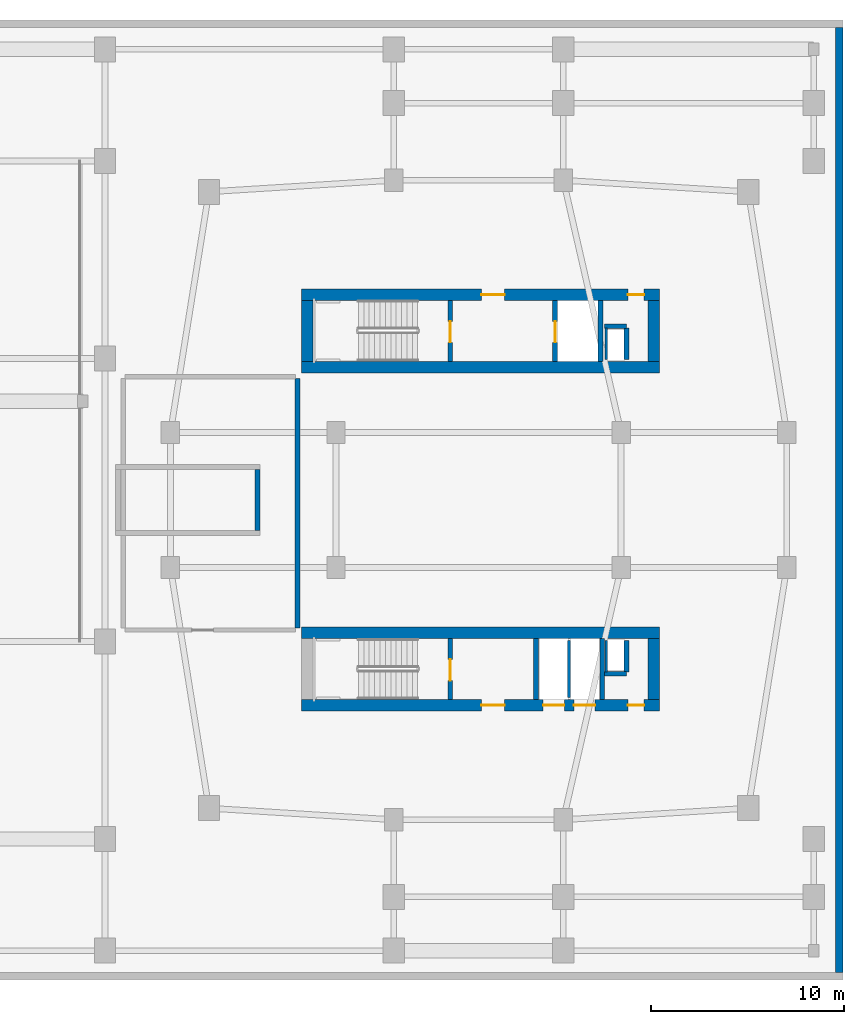
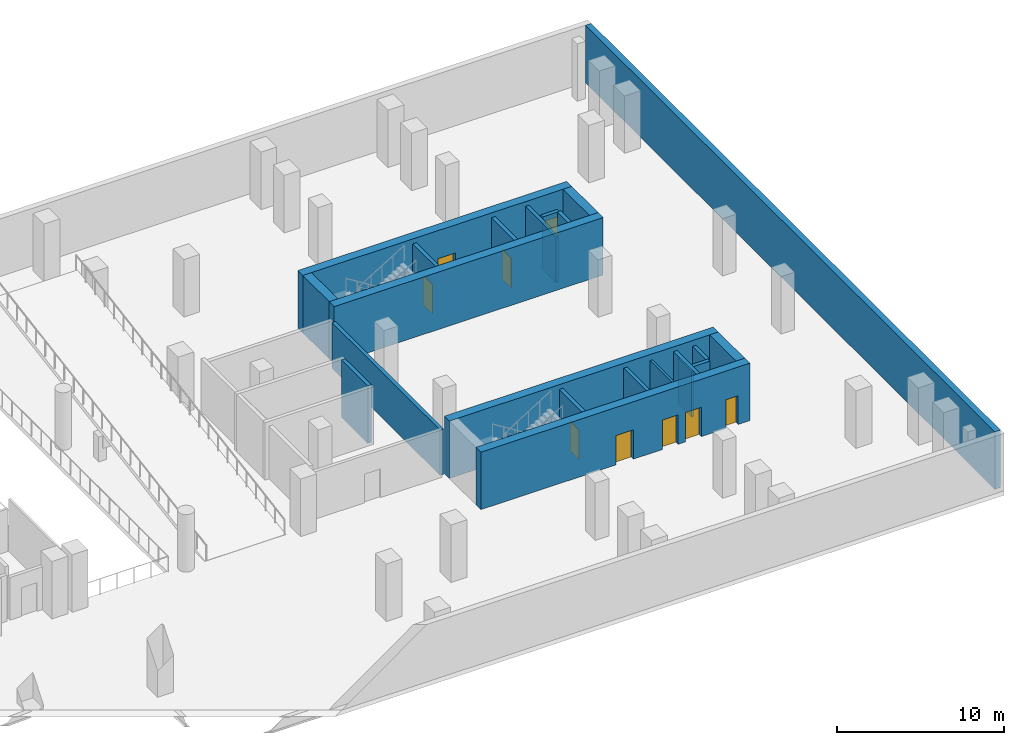
# One storey, part 8 of 13: 23 walls, 9 doors, 9 openings.
"""IFC4 building model written with IfcOpenShell, lengths in metres."""

from ifc_helpers import new_model, si_unit, derived_unit, direction, frame, frame_2d, origin, place, context, subcontext, project, spatial, rectangle, extrude, material, layer, layer_set, type_object, element, fill, save


model = new_model("IFC4")

# Units and contexts
model_context = context("Model", 3, precision=1e-05, world=origin(), true_north=direction((0.0, 1.0)))
body_context = subcontext(model_context, "Body", "Model", "MODEL_VIEW")
ifc_project = project(units=[si_unit("LENGTHUNIT", "METRE"), si_unit("AREAUNIT", "SQUARE_METRE"), si_unit("VOLUMEUNIT", "CUBIC_METRE"), si_unit("PLANEANGLEUNIT", "RADIAN"), si_unit("MASSUNIT", "GRAM", prefix="KILO"), derived_unit("THERMALTRANSMITTANCEUNIT", [(si_unit("POWERUNIT", "WATT"), 1), (si_unit("LENGTHUNIT", "METRE"), -2), (si_unit("THERMODYNAMICTEMPERATUREUNIT", "KELVIN"), -1)])], contexts=[model_context])

# Site, building, storey
site_placement = place(None, origin())
site = spatial("IfcSite", under=ifc_project, at=site_placement, CompositionType="ELEMENT")
building_placement = place(site_placement, origin())
building = spatial("IfcBuilding", under=site, at=building_placement, Name="Kivonza Crest Hotel", CompositionType="ELEMENT")
storey_placement = place(building_placement, frame((0.0, 0.0, -4.199951171875)))
storey = spatial("IfcBuildingStorey", under=building, at=storey_placement, Name="B1", CompositionType="ELEMENT", Elevation=-4.199951171875)

# Wall
ifc_material_1 = material(Name="Concrete C60/75", Category="concrete")
ifc_layer_1 = layer(ifc_material_1, 0.60009765625)
ifc_layer_set_1 = layer_set([ifc_layer_1], Name="Concrete C60/75")
wall_type_1 = type_object("IfcWallType", Name="WL-CORE-600", PredefinedType="SHEAR", material=ifc_layer_set_1)
wall_1_placement = place(storey_placement, frame((67.800048828125, 31.89990234375, 0.0), z_axis=(0.0, 0.0, 1.0), x_axis=(1.0, 0.0, 0.0)))
element("IfcWall", 1, at=wall_1_placement, inside=storey, type_object=wall_type_1, Name="Core wall T2-N South B1", PredefinedType="SHEAR", context=body_context, shape_type="SweptSolid", body=[
    extrude(rectangle(XDim=18.599853515625, YDim=0.60009765625, at=frame_2d((9.2998046875, 0.0))), origin(), (0.0, 0.0, 1.0), 4.199951171875),
])

# Wall, openings, doors
wall_2_placement = place(storey_placement, frame((67.800048828125, 35.659912109375, 0.0), z_axis=(0.0, 0.0, 1.0), x_axis=(1.0, 0.0, 0.0)))
wall_2 = element("IfcWall", 2, at=wall_2_placement, inside=storey, type_object=wall_type_1, Name="Core wall T2-N North B1", PredefinedType="SHEAR", context=body_context, shape_type="SweptSolid", body=[
    extrude(rectangle(XDim=18.599853515625, YDim=0.60009765625, at=frame_2d((9.2998046875, 0.0))), origin(), (0.0, 0.0, 1.0), 4.199951171875),
])
opening_1_placement = place(wall_2_placement, frame((9.35009765625, 0.0, 0.0)))
opening_1 = element("IfcOpeningElement", 3, at=opening_1_placement, cuts=wall_2, Name="Opening DF-60", PredefinedType="OPENING", context=body_context, shape_type="SweptSolid", body=[
    extrude(rectangle(XDim=1.199951171875, YDim=2.14990234375, at=frame_2d((0.60009765625, 1.074951171875))), frame((0.0, 0.31005859375, 0.0), z_axis=(0.0, -1.0, 0.0), x_axis=(1.0, 0.0, 0.0)), (0.0, 0.0, 1.0), 0.6201171875),
])
opening_2_placement = place(wall_2_placement, frame((16.949951171875, 0.0, 0.0)))
opening_2 = element("IfcOpeningElement", 4, at=opening_2_placement, cuts=wall_2, Name="Opening DF-60R", PredefinedType="OPENING", context=body_context, shape_type="SweptSolid", body=[
    extrude(rectangle(XDim=0.85009765625, YDim=2.10009765625, at=frame_2d((0.425048828125, 1.050048828125))), frame((0.0, 0.31005859375, 0.0), z_axis=(0.0, -1.0, 0.0), x_axis=(1.0, 0.0, 0.0)), (0.0, 0.0, 1.0), 0.6201171875),
])
ifc_material_2 = material(Name="Hardwood timber oak", Category="wood")
door_type_1 = type_object("IfcDoorType", Name="DR-FD60-1200", OperationType="NOTDEFINED", PredefinedType="DOOR", material=ifc_material_2)
door_1_placement = place(opening_1_placement, origin())
door_1 = element("IfcDoor", 5, at=door_1_placement, inside=storey, type_object=door_type_1, Name="B1 T2-N firefighting lobby fire door", OperationType="SINGLE_SWING_RIGHT", OverallHeight=2.14990234375, OverallWidth=1.199951171875, PredefinedType="DOOR", context=body_context, shape_type="SweptSolid", body=[
    extrude(rectangle(XDim=1.199951171875, YDim=2.14990234375, at=frame_2d((0.60009765625, 1.074951171875))), frame((0.0, 0.02490234375, 0.0), z_axis=(0.0, -1.0, 0.0), x_axis=(1.0, 0.0, 0.0)), (0.0, 0.0, 1.0), 0.050048828125),
])
fill(opening_1, door_1)
door_type_2 = type_object("IfcDoorType", Name="DR-FD60-850", OperationType="NOTDEFINED", PredefinedType="DOOR", material=ifc_material_2)
door_2_placement = place(opening_2_placement, origin())
door_2 = element("IfcDoor", 6, at=door_2_placement, inside=storey, type_object=door_type_2, Name="B1 T2-N core room door", OperationType="SINGLE_SWING_RIGHT", OverallHeight=2.10009765625, OverallWidth=0.85009765625, PredefinedType="DOOR", context=body_context, shape_type="SweptSolid", body=[
    extrude(rectangle(XDim=0.85009765625, YDim=2.10009765625, at=frame_2d((0.425048828125, 1.050048828125))), frame((0.0, 0.02490234375, 0.0), z_axis=(0.0, -1.0, 0.0), x_axis=(1.0, 0.0, 0.0)), (0.0, 0.0, 1.0), 0.050048828125),
])
fill(opening_2, door_2)

# Walls
for number, where, z_axis, x_axis, name in (
    (7, (68.10009765625, 32.199951171875, 0.0), (0.0, 0.0, 1.0), (0.0, 1.0, 0.0), "Core wall T2-N West B1"),
    (8, (86.10009765625, 32.199951171875, 0.0), (0.0, 0.0, 1.0), (0.0, 1.0, 0.0), "Core wall T2-N East B1"),
):
    element("IfcWall", number, at=place(storey_placement, frame(where, z_axis=z_axis, x_axis=x_axis)), inside=storey, type_object=wall_type_1, Name=name, PredefinedType="SHEAR", context=body_context, shape_type="SweptSolid", body=[
        extrude(rectangle(XDim=3.16015625, YDim=0.60009765625, at=frame_2d((1.580078125, 0.0))), origin(), (0.0, 0.0, 1.0), 4.199951171875),
    ])

# Wall, openings, doors
wall_3_placement = place(storey_placement, frame((67.800048828125, 14.340087890625, 0.0), z_axis=(0.0, 0.0, 1.0), x_axis=(1.0, 0.0, 0.0)))
wall_3 = element("IfcWall", 9, at=wall_3_placement, inside=storey, type_object=wall_type_1, Name="Core wall T2-S South B1", PredefinedType="SHEAR", context=body_context, shape_type="SweptSolid", body=[
    extrude(rectangle(XDim=18.599853515625, YDim=0.60009765625, at=frame_2d((9.2998046875, 0.0))), origin(), (0.0, 0.0, 1.0), 4.199951171875),
])
opening_3_placement = place(wall_3_placement, frame((9.35009765625, 0.0, 0.0)))
opening_3 = element("IfcOpeningElement", 10, at=opening_3_placement, cuts=wall_3, Name="Opening DF-60", PredefinedType="OPENING", context=body_context, shape_type="SweptSolid", body=[
    extrude(rectangle(XDim=1.199951171875, YDim=2.14990234375, at=frame_2d((0.60009765625, 1.074951171875))), frame((0.0, 0.31005859375, 0.0), z_axis=(0.0, -1.0, 0.0), x_axis=(1.0, 0.0, 0.0)), (0.0, 0.0, 1.0), 0.6201171875),
])
opening_4_placement = place(wall_3_placement, frame((16.949951171875, 0.0, 0.0)))
opening_4 = element("IfcOpeningElement", 11, at=opening_4_placement, cuts=wall_3, Name="Opening DF-60R", PredefinedType="OPENING", context=body_context, shape_type="SweptSolid", body=[
    extrude(rectangle(XDim=0.85009765625, YDim=2.10009765625, at=frame_2d((0.425048828125, 1.050048828125))), frame((0.0, 0.31005859375, 0.0), z_axis=(0.0, -1.0, 0.0), x_axis=(1.0, 0.0, 0.0)), (0.0, 0.0, 1.0), 0.6201171875),
])
opening_5_placement = place(wall_3_placement, frame((12.550048828125, 0.0, 0.0)))
opening_5 = element("IfcOpeningElement", 12, at=opening_5_placement, cuts=wall_3, Name="Opening LD-120", PredefinedType="OPENING", context=body_context, shape_type="SweptSolid", body=[
    extrude(rectangle(XDim=1.10009765625, YDim=2.14990234375, at=frame_2d((0.550048828125, 1.074951171875))), frame((0.0, 0.31005859375, 0.0), z_axis=(0.0, -1.0, 0.0), x_axis=(1.0, 0.0, 0.0)), (0.0, 0.0, 1.0), 0.6201171875),
])
opening_6_placement = place(wall_3_placement, frame((14.14990234375, 0.0, 0.0)))
opening_6 = element("IfcOpeningElement", 13, at=opening_6_placement, cuts=wall_3, Name="Opening LD-120", PredefinedType="OPENING", context=body_context, shape_type="SweptSolid", body=[
    extrude(rectangle(XDim=1.10009765625, YDim=2.14990234375, at=frame_2d((0.550048828125, 1.074951171875))), frame((0.0, 0.31005859375, 0.0), z_axis=(0.0, -1.0, 0.0), x_axis=(1.0, 0.0, 0.0)), (0.0, 0.0, 1.0), 0.6201171875),
])
door_3_placement = place(opening_3_placement, frame((1.199951171875, 0.0, 0.0), z_axis=(0.0, 0.0, 1.0), x_axis=(-1.0, 0.0, 0.0)))
door_3 = element("IfcDoor", 14, at=door_3_placement, inside=storey, type_object=door_type_1, Name="B1 T2-S firefighting lobby fire door", OperationType="SINGLE_SWING_LEFT", OverallHeight=2.14990234375, OverallWidth=1.199951171875, PredefinedType="DOOR", context=body_context, shape_type="SweptSolid", body=[
    extrude(rectangle(XDim=1.199951171875, YDim=2.14990234375, at=frame_2d((0.60009765625, 1.074951171875))), frame((0.0, 0.02490234375, 0.0), z_axis=(0.0, -1.0, 0.0), x_axis=(1.0, 0.0, 0.0)), (0.0, 0.0, 1.0), 0.050048828125),
])
fill(opening_3, door_3)
door_4_placement = place(opening_4_placement, frame((0.85009765625, 0.0, 0.0), z_axis=(0.0, 0.0, 1.0), x_axis=(-1.0, 0.0, 0.0)))
door_4 = element("IfcDoor", 15, at=door_4_placement, inside=storey, type_object=door_type_2, Name="B1 T2-S core room door", OperationType="SINGLE_SWING_RIGHT", OverallHeight=2.10009765625, OverallWidth=0.85009765625, PredefinedType="DOOR", context=body_context, shape_type="SweptSolid", body=[
    extrude(rectangle(XDim=0.85009765625, YDim=2.10009765625, at=frame_2d((0.425048828125, 1.050048828125))), frame((0.0, 0.02490234375, 0.0), z_axis=(0.0, -1.0, 0.0), x_axis=(1.0, 0.0, 0.0)), (0.0, 0.0, 1.0), 0.050048828125),
])
fill(opening_4, door_4)
ifc_material_3 = material(Name="Stainless steel", Category="steel")
door_type_3 = type_object("IfcDoorType", Name="DR-LD120-1100", OperationType="NOTDEFINED", PredefinedType="DOOR", material=ifc_material_3)
door_5_placement = place(opening_5_placement, frame((1.10009765625, 0.0, 0.0), z_axis=(0.0, 0.0, 1.0), x_axis=(-1.0, 0.0, 0.0)))
door_5 = element("IfcDoor", 16, at=door_5_placement, inside=storey, type_object=door_type_3, Name="B1 PL-T2-1 passenger lift sliding landing door", OperationType="DOUBLE_DOOR_SLIDING", OverallHeight=2.14990234375, OverallWidth=1.10009765625, PredefinedType="DOOR", context=body_context, shape_type="SweptSolid", body=[
    extrude(rectangle(XDim=1.10009765625, YDim=2.14990234375, at=frame_2d((0.550048828125, 1.074951171875))), frame((0.0, 0.02490234375, 0.0), z_axis=(0.0, -1.0, 0.0), x_axis=(1.0, 0.0, 0.0)), (0.0, 0.0, 1.0), 0.050048828125),
])
fill(opening_5, door_5)
door_6_placement = place(opening_6_placement, frame((1.10009765625, 0.0, 0.0), z_axis=(0.0, 0.0, 1.0), x_axis=(-1.0, 0.0, 0.0)))
door_6 = element("IfcDoor", 17, at=door_6_placement, inside=storey, type_object=door_type_3, Name="B1 PL-T2-2 passenger lift sliding landing door", OperationType="DOUBLE_DOOR_SLIDING", OverallHeight=2.14990234375, OverallWidth=1.10009765625, PredefinedType="DOOR", context=body_context, shape_type="SweptSolid", body=[
    extrude(rectangle(XDim=1.10009765625, YDim=2.14990234375, at=frame_2d((0.550048828125, 1.074951171875))), frame((0.0, 0.02490234375, 0.0), z_axis=(0.0, -1.0, 0.0), x_axis=(1.0, 0.0, 0.0)), (0.0, 0.0, 1.0), 0.050048828125),
])
fill(opening_6, door_6)

# Walls
wall_4_placement = place(storey_placement, frame((67.800048828125, 18.10009765625, 0.0), z_axis=(0.0, 0.0, 1.0), x_axis=(1.0, 0.0, 0.0)))
element("IfcWall", 18, at=wall_4_placement, inside=storey, type_object=wall_type_1, Name="Core wall T2-S North B1", PredefinedType="SHEAR", context=body_context, shape_type="SweptSolid", body=[
    extrude(rectangle(XDim=18.599853515625, YDim=0.60009765625, at=frame_2d((9.2998046875, 0.0))), origin(), (0.0, 0.0, 1.0), 4.199951171875),
])
wall_5_placement = place(storey_placement, frame((86.10009765625, 14.639892578125, 0.0), z_axis=(0.0, 0.0, 1.0), x_axis=(0.0, 1.0, 0.0)))
element("IfcWall", 19, at=wall_5_placement, inside=storey, type_object=wall_type_1, Name="Core wall T2-S East B1", PredefinedType="SHEAR", context=body_context, shape_type="SweptSolid", body=[
    extrude(rectangle(XDim=3.16015625, YDim=0.60009765625, at=frame_2d((1.580078125, 0.0))), origin(), (0.0, 0.0, 1.0), 4.199951171875),
])
ifc_material_4 = material(Name="Concrete blockwork fire-compartment wall", Category="masonry")
ifc_layer_2 = layer(ifc_material_4, 0.25)
ifc_layer_set_2 = layer_set([ifc_layer_2], Name="Concrete blockwork fire-compartment wall")
wall_type_2 = type_object("IfcWallType", Name="WL-FIRE-250", PredefinedType="SOLIDWALL", material=ifc_layer_set_2)
wall_6_placement = place(storey_placement, frame((84.679931640625, 32.300048828125, 0.0), z_axis=(0.0, 0.0, 1.0), x_axis=(0.0, 1.0, 0.0)))
element("IfcWall", 20, at=wall_6_placement, inside=storey, type_object=wall_type_2, Name="B1 interior partition WA-B1-T2-N-MEPR-E", PredefinedType="SOLIDWALL", context=body_context, shape_type="SweptSolid", body=[
    extrude(rectangle(XDim=1.619873046875, YDim=0.25, at=frame_2d((0.81005859375, 0.0))), origin(), (0.0, 0.0, 1.0), 3.849853515625),
])
wall_7_placement = place(storey_placement, frame((83.550048828125, 34.02001953125, 0.0), z_axis=(0.0, 0.0, 1.0), x_axis=(1.0, 0.0, 0.0)))
element("IfcWall", 21, at=wall_7_placement, inside=storey, type_object=wall_type_2, Name="B1 interior partition WA-B1-T2-N-MEPR-H", PredefinedType="SOLIDWALL", context=body_context, shape_type="SweptSolid", body=[
    extrude(rectangle(XDim=1.1298828125, YDim=0.25, at=frame_2d((0.56494140625, 0.0))), origin(), (0.0, 0.0, 1.0), 3.849853515625),
])
wall_8_placement = place(storey_placement, frame((84.679931640625, 16.080078125, 0.0), z_axis=(0.0, 0.0, 1.0), x_axis=(0.0, 1.0, 0.0)))
element("IfcWall", 22, at=wall_8_placement, inside=storey, type_object=wall_type_2, Name="B1 interior partition WA-B1-T2-S-MEPR-E", PredefinedType="SOLIDWALL", context=body_context, shape_type="SweptSolid", body=[
    extrude(rectangle(XDim=1.619873046875, YDim=0.25, at=frame_2d((0.81005859375, 0.0))), origin(), (0.0, 0.0, 1.0), 3.849853515625),
])
wall_9_placement = place(storey_placement, frame((83.550048828125, 15.97998046875, 0.0), z_axis=(0.0, 0.0, 1.0), x_axis=(1.0, 0.0, 0.0)))
element("IfcWall", 23, at=wall_9_placement, inside=storey, type_object=wall_type_2, Name="B1 interior partition WA-B1-T2-S-MEPR-H", PredefinedType="SOLIDWALL", context=body_context, shape_type="SweptSolid", body=[
    extrude(rectangle(XDim=1.1298828125, YDim=0.25, at=frame_2d((0.56494140625, 0.0))), origin(), (0.0, 0.0, 1.0), 3.849853515625),
])
wall_10_placement = place(storey_placement, frame((67.60009765625, 18.35009765625, 0.0), z_axis=(0.0, 0.0, 1.0), x_axis=(0.0, 1.0, 0.0)))
element("IfcWall", 24, at=wall_10_placement, inside=storey, type_object=wall_type_2, Name="B1 interior partition WP-B1-T2EL-BE", PredefinedType="SOLIDWALL", context=body_context, shape_type="SweptSolid", body=[
    extrude(rectangle(XDim=12.949951171875, YDim=0.25, at=frame_2d((6.47509765625, 0.0))), origin(), (0.0, 0.0, 1.0), 3.324951171875),
])
ifc_material_5 = material(Name="Twin-stud acoustic gypsum board partition", Category="gypsum")
ifc_layer_3 = layer(ifc_material_5, 0.14990234375)
ifc_layer_set_3 = layer_set([ifc_layer_3], Name="Twin-stud acoustic gypsum board partition")
wall_type_3 = type_object("IfcWallType", Name="WL-PART-150", PredefinedType="PARTITIONING", material=ifc_layer_set_3)
for number, where, z_axis, x_axis, name in (
    (25, (83.6298828125, 32.300048828125, 0.0), (0.0, 0.0, 1.0), (0.0, 1.0, 0.0), "B1 interior partition WA-B1-T2-N-MEPR-W"),
    (26, (83.6298828125, 16.080078125, 0.0), (0.0, 0.0, 1.0), (0.0, 1.0, 0.0), "B1 interior partition WA-B1-T2-S-MEPR-W"),
):
    element("IfcWall", number, at=place(storey_placement, frame(where, z_axis=z_axis, x_axis=x_axis)), inside=storey, type_object=wall_type_3, Name=name, PredefinedType="PARTITIONING", context=body_context, shape_type="SweptSolid", body=[
        extrude(rectangle(XDim=1.619873046875, YDim=0.14990234375, at=frame_2d((0.81005859375, 0.0))), origin(), (0.0, 0.0, 1.0), 3.324951171875),
    ])
wall_11_placement = place(storey_placement, frame((81.699951171875, 14.739990234375, 0.0), z_axis=(0.0, 0.0, 1.0), x_axis=(0.0, 1.0, 0.0)))
element("IfcWall", 27, at=wall_11_placement, inside=storey, type_object=wall_type_3, Name="B1 interior partition WP-B1-T2-S-BSH-1", PredefinedType="PARTITIONING", context=body_context, shape_type="SweptSolid", body=[
    extrude(rectangle(XDim=2.9599609375, YDim=0.14990234375, at=frame_2d((1.47998046875, 0.0))), origin(), (0.0, 0.0, 1.0), 3.849853515625),
])
ifc_material_6 = material(Name="Concrete C40/50", Category="concrete")
ifc_layer_4 = layer(ifc_material_6, 0.39990234375)
ifc_layer_set_4 = layer_set([ifc_layer_4], Name="Concrete C40/50")
wall_type_4 = type_object("IfcWallType", Name="WL-RET-400", PredefinedType="USERDEFINED", material=ifc_layer_set_4)
wall_12_placement = place(storey_placement, frame((95.719970703125, 0.47998046875, 0.0), z_axis=(0.0, 0.0, 1.0), x_axis=(0.0, 1.0, 0.0)))
element("IfcWall", 28, at=wall_12_placement, inside=storey, type_object=wall_type_4, Name="B1 East basement retaining wall", ObjectType="RETAININGWALL", PredefinedType="USERDEFINED", context=body_context, shape_type="SweptSolid", body=[
    extrude(rectangle(XDim=49.0400390625, YDim=0.39990234375, at=frame_2d((24.52001953125, 0.0))), origin(), (0.0, 0.0, 1.0), 4.199951171875),
])

# Wall, opening, door
ifc_material_7 = material(Name="Concrete C50/60", Category="concrete")
ifc_layer_5 = layer(ifc_material_7, 0.25)
ifc_layer_set_5 = layer_set([ifc_layer_5], Name="Concrete C50/60")
wall_type_5 = type_object("IfcWallType", Name="WL-SHAFT-250", PredefinedType="STANDARD", material=ifc_layer_set_5)
wall_13_placement = place(storey_placement, frame((75.52490234375, 32.199951171875, 0.0), z_axis=(0.0, 0.0, 1.0), x_axis=(0.0, 1.0, 0.0)))
wall_13 = element("IfcWall", 29, at=wall_13_placement, inside=storey, type_object=wall_type_5, Name="Core shaft wall T2-N STAIR B1", PredefinedType="STANDARD", context=body_context, shape_type="SweptSolid", body=[
    extrude(rectangle(XDim=3.16015625, YDim=0.25, at=frame_2d((1.580078125, 0.0))), origin(), (0.0, 0.0, 1.0), 3.849853515625),
])
opening_7_placement = place(wall_13_placement, frame((0.97998046875, 0.0, 0.0)))
opening_7 = element("IfcOpeningElement", 30, at=opening_7_placement, cuts=wall_13, Name="Opening DF-120", PredefinedType="OPENING", context=body_context, shape_type="SweptSolid", body=[
    extrude(rectangle(XDim=1.10009765625, YDim=2.14990234375, at=frame_2d((0.550048828125, 1.074951171875))), frame((0.0, 0.135009765625, 0.0), z_axis=(0.0, -1.0, 0.0), x_axis=(1.0, 0.0, 0.0)), (0.0, 0.0, 1.0), 0.27001953125),
])
ifc_material_8 = material(Name="Galvanised steel", Category="steel")
door_type_4 = type_object("IfcDoorType", Name="DR-FD120-1100", OperationType="NOTDEFINED", PredefinedType="DOOR", material=ifc_material_8)
door_7_placement = place(opening_7_placement, frame((1.10009765625, 0.0, 0.0), z_axis=(0.0, 0.0, 1.0), x_axis=(-1.0, 0.0, 0.0)))
door_7 = element("IfcDoor", 31, at=door_7_placement, inside=storey, type_object=door_type_4, Name="B1 T2-N stair fire door", OperationType="SINGLE_SWING_LEFT", OverallHeight=2.14990234375, OverallWidth=1.10009765625, PredefinedType="DOOR", context=body_context, shape_type="SweptSolid", body=[
    extrude(rectangle(XDim=1.10009765625, YDim=2.14990234375, at=frame_2d((0.550048828125, 1.074951171875))), frame((0.0, 0.02490234375, 0.0), z_axis=(0.0, -1.0, 0.0), x_axis=(1.0, 0.0, 0.0)), (0.0, 0.0, 1.0), 0.050048828125),
])
fill(opening_7, door_7)

wall_14_placement = place(storey_placement, frame((80.97509765625, 32.199951171875, 0.0), z_axis=(0.0, 0.0, 1.0), x_axis=(0.0, 1.0, 0.0)))
wall_14 = element("IfcWall", 32, at=wall_14_placement, inside=storey, type_object=wall_type_5, Name="Core shaft wall T2-N FFL-W B1", PredefinedType="STANDARD", context=body_context, shape_type="SweptSolid", body=[
    extrude(rectangle(XDim=3.16015625, YDim=0.25, at=frame_2d((1.580078125, 0.0))), origin(), (0.0, 0.0, 1.0), 3.849853515625),
])
opening_8_placement = place(wall_14_placement, frame((0.97998046875, 0.0, 0.0)))
opening_8 = element("IfcOpeningElement", 33, at=opening_8_placement, cuts=wall_14, Name="Opening LD-120", PredefinedType="OPENING", context=body_context, shape_type="SweptSolid", body=[
    extrude(rectangle(XDim=1.10009765625, YDim=2.14990234375, at=frame_2d((0.550048828125, 1.074951171875))), frame((0.0, 0.135009765625, 0.0), z_axis=(0.0, -1.0, 0.0), x_axis=(1.0, 0.0, 0.0)), (0.0, 0.0, 1.0), 0.27001953125),
])
door_8_placement = place(opening_8_placement, origin())
door_8 = element("IfcDoor", 34, at=door_8_placement, inside=storey, type_object=door_type_3, Name="B1 FFL-T2 firefighting lift sliding landing door", OperationType="DOUBLE_DOOR_SLIDING", OverallHeight=2.14990234375, OverallWidth=1.10009765625, PredefinedType="DOOR", context=body_context, shape_type="SweptSolid", body=[
    extrude(rectangle(XDim=1.10009765625, YDim=2.14990234375, at=frame_2d((0.550048828125, 1.074951171875))), frame((0.0, 0.02490234375, 0.0), z_axis=(0.0, -1.0, 0.0), x_axis=(1.0, 0.0, 0.0)), (0.0, 0.0, 1.0), 0.050048828125),
])
fill(opening_8, door_8)

# Wall
wall_15_placement = place(storey_placement, frame((83.324951171875, 32.199951171875, 0.0), z_axis=(0.0, 0.0, 1.0), x_axis=(0.0, 1.0, 0.0)))
element("IfcWall", 35, at=wall_15_placement, inside=storey, type_object=wall_type_5, Name="Core shaft wall T2-N FFL-E B1", PredefinedType="STANDARD", context=body_context, shape_type="SweptSolid", body=[
    extrude(rectangle(XDim=3.16015625, YDim=0.25, at=frame_2d((1.580078125, 0.0))), origin(), (0.0, 0.0, 1.0), 3.849853515625),
])

# Wall, opening, door
wall_16_placement = place(storey_placement, frame((75.52490234375, 14.639892578125, 0.0), z_axis=(0.0, 0.0, 1.0), x_axis=(0.0, 1.0, 0.0)))
wall_16 = element("IfcWall", 36, at=wall_16_placement, inside=storey, type_object=wall_type_5, Name="Core shaft wall T2-S STAIR B1", PredefinedType="STANDARD", context=body_context, shape_type="SweptSolid", body=[
    extrude(rectangle(XDim=3.16015625, YDim=0.25, at=frame_2d((1.580078125, 0.0))), origin(), (0.0, 0.0, 1.0), 3.849853515625),
])
opening_9_placement = place(wall_16_placement, frame((0.97998046875, 0.0, 0.0)))
opening_9 = element("IfcOpeningElement", 37, at=opening_9_placement, cuts=wall_16, Name="Opening DF-120", PredefinedType="OPENING", context=body_context, shape_type="SweptSolid", body=[
    extrude(rectangle(XDim=1.10009765625, YDim=2.14990234375, at=frame_2d((0.550048828125, 1.074951171875))), frame((0.0, 0.135009765625, 0.0), z_axis=(0.0, -1.0, 0.0), x_axis=(1.0, 0.0, 0.0)), (0.0, 0.0, 1.0), 0.27001953125),
])
door_9_placement = place(opening_9_placement, frame((1.10009765625, 0.0, 0.0), z_axis=(0.0, 0.0, 1.0), x_axis=(-1.0, 0.0, 0.0)))
door_9 = element("IfcDoor", 38, at=door_9_placement, inside=storey, type_object=door_type_4, Name="B1 T2-S stair fire door", OperationType="SINGLE_SWING_RIGHT", OverallHeight=2.14990234375, OverallWidth=1.10009765625, PredefinedType="DOOR", context=body_context, shape_type="SweptSolid", body=[
    extrude(rectangle(XDim=1.10009765625, YDim=2.14990234375, at=frame_2d((0.550048828125, 1.074951171875))), frame((0.0, 0.02490234375, 0.0), z_axis=(0.0, -1.0, 0.0), x_axis=(1.0, 0.0, 0.0)), (0.0, 0.0, 1.0), 0.050048828125),
])
fill(opening_9, door_9)

# Walls
for number, where, z_axis, x_axis, name in (
    (39, (79.97509765625, 14.639892578125, 0.0), (0.0, 0.0, 1.0), (0.0, 1.0, 0.0), "Core shaft wall T2-S BANK-W B1"),
    (40, (83.425048828125, 14.639892578125, 0.0), (0.0, 0.0, 1.0), (0.0, 1.0, 0.0), "Core shaft wall T2-S BANK-E B1"),
):
    element("IfcWall", number, at=place(storey_placement, frame(where, z_axis=z_axis, x_axis=x_axis)), inside=storey, type_object=wall_type_5, Name=name, PredefinedType="STANDARD", context=body_context, shape_type="SweptSolid", body=[
        extrude(rectangle(XDim=3.16015625, YDim=0.25, at=frame_2d((1.580078125, 0.0))), origin(), (0.0, 0.0, 1.0), 3.849853515625),
    ])
wall_17_placement = place(storey_placement, frame((65.52490234375, 23.419921875, 0.0), z_axis=(0.0, 0.0, 1.0), x_axis=(0.0, 1.0, 0.0)))
element("IfcWall", 41, at=wall_17_placement, inside=storey, type_object=wall_type_5, Name="Podium stair enclosure wall ST-POD-E E B1", PredefinedType="STANDARD", context=body_context, shape_type="SweptSolid", body=[
    extrude(rectangle(XDim=3.16015625, YDim=0.25, at=frame_2d((1.580078125, 0.0))), origin(), (0.0, 0.0, 1.0), 4.199951171875),
])

save(model, "model.ifc")
